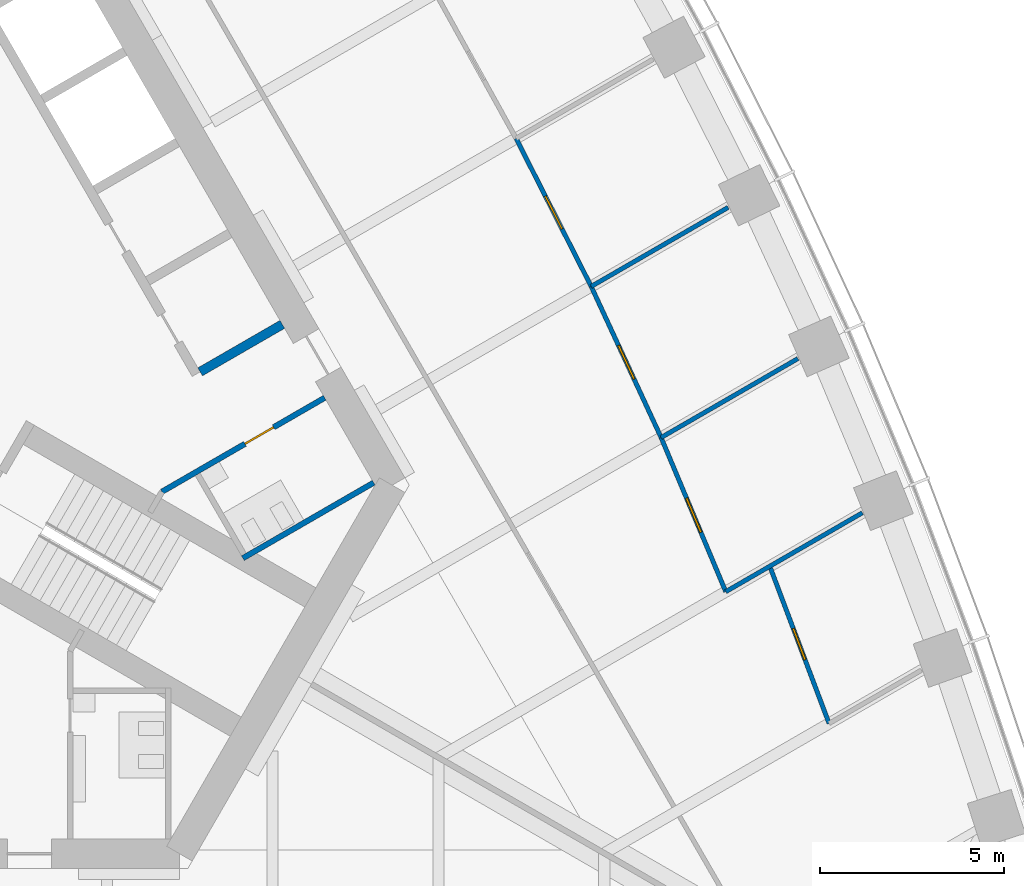
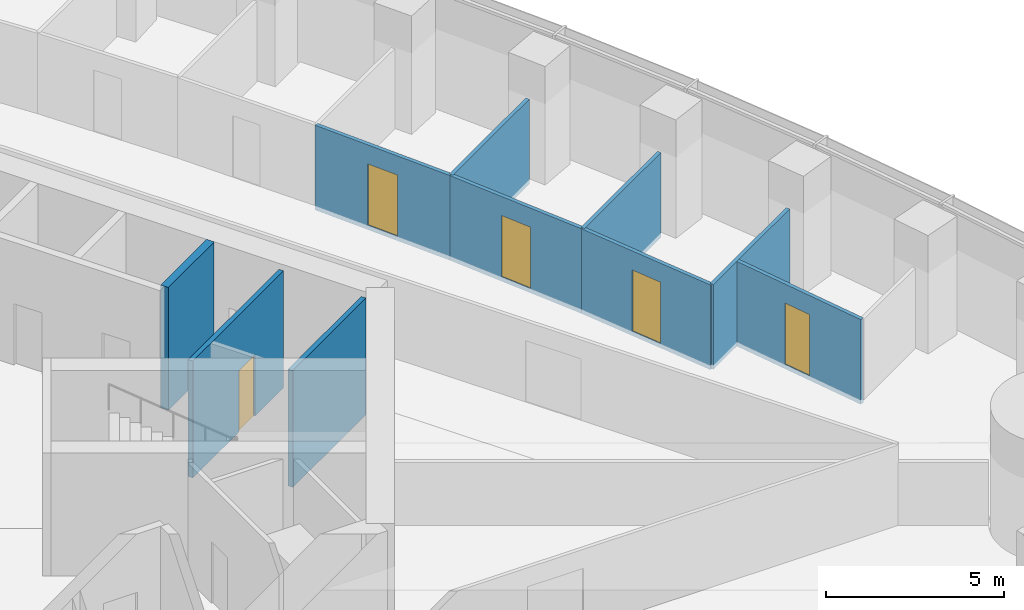
# One storey, part 13 of 21: 10 walls, 5 doors, 5 openings.
"""IFC4 building model written with IfcOpenShell, lengths in metres."""

from ifc_helpers import new_model, si_unit, direction, frame, frame_2d, origin, place, context, subcontext, project, spatial, rectangle, extrude, material, layer, layer_set, type_object, element, fill, save


model = new_model("IFC4")

# Units and contexts
model_context = context("Model", 3, precision=1e-05, world=origin(), true_north=direction((0.0, 1.0)))
body_context = subcontext(model_context, "Body", "Model", "MODEL_VIEW")
ifc_project = project(units=[si_unit("LENGTHUNIT", "METRE"), si_unit("AREAUNIT", "SQUARE_METRE"), si_unit("VOLUMEUNIT", "CUBIC_METRE"), si_unit("PLANEANGLEUNIT", "RADIAN"), si_unit("MASSUNIT", "GRAM", prefix="KILO")], contexts=[model_context])

# Site, building, storey
site_placement = place(None, origin())
site = spatial("IfcSite", under=ifc_project, at=site_placement, CompositionType="ELEMENT")
building_placement = place(site_placement, origin())
building = spatial("IfcBuilding", under=site, at=building_placement, Name="Trefoil Bronze Tower", CompositionType="ELEMENT")
storey_placement = place(building_placement, frame((0.0, 0.0, 149.300048828125)))
storey = spatial("IfcBuildingStorey", under=building, at=storey_placement, Name="L34", CompositionType="ELEMENT", Elevation=149.300048828125)

# Wall, opening, door
ifc_material_1 = material(Name="Glazed partition", Category="glass")
ifc_layer_1 = layer(ifc_material_1, 0.1201171875)
ifc_layer_set_1 = layer_set([ifc_layer_1], Name="Glazed partition 120")
wall_type_1 = type_object("IfcWallType", Name="Glazed partition 120", PredefinedType="PARTITIONING", material=ifc_layer_set_1)
wall_1_placement = place(storey_placement, frame((24.042724609375, -1.70751953125, 0.0), z_axis=(0.0, 0.0, 1.0), x_axis=(-0.41992827805, 0.90755729367, 0.0)))
wall_1 = element("IfcWall", 1, at=wall_1_placement, inside=storey, type_object=wall_type_1, Name="Partition F2 L34", PredefinedType="PARTITIONING", context=body_context, shape_type="SweptSolid", body=[
    extrude(rectangle(XDim=4.5185546875, YDim=0.1201171875, at=frame_2d((2.25927734375, 0.0))), origin(), (0.0, 0.0, 1.0), 2.89990234375),
])
opening_1_placement = place(wall_1_placement, frame((1.75, 0.0, 0.14990234375)))
opening_1 = element("IfcOpeningElement", 2, at=opening_1_placement, cuts=wall_1, Name="Opening D9", PredefinedType="OPENING", context=body_context, shape_type="SweptSolid", body=[
    extrude(rectangle(XDim=1.0, YDim=2.10009765625, at=frame_2d((0.5, 1.050048828125))), frame((0.0, 0.070068359375, 0.0), z_axis=(0.0, -1.0, 0.0), x_axis=(1.0, 0.0, 0.0)), (0.0, 0.0, 1.0), 0.14013671875),
])
ifc_material_2 = material(Name="Glazed timber door", Category="wood")
door_type_1 = type_object("IfcDoorType", Name="Meeting room door 1000", OperationType="SINGLE_SWING_LEFT", PredefinedType="DOOR", material=ifc_material_2)
door_1_placement = place(opening_1_placement, frame((1.0, 0.0, 0.0), z_axis=(0.0, 0.0, 1.0), x_axis=(-1.0, 0.0, 0.0)))
door_1 = element("IfcDoor", 3, at=door_1_placement, inside=storey, type_object=door_type_1, Name="Meeting room door F2 L34", OperationType="SINGLE_SWING_RIGHT", OverallHeight=2.10009765625, OverallWidth=1.0, PredefinedType="DOOR", context=body_context, shape_type="SweptSolid", body=[
    extrude(rectangle(XDim=1.0, YDim=2.10009765625, at=frame_2d((0.5, 1.050048828125))), frame((0.0, 0.02490234375, 0.0), z_axis=(0.0, -1.0, 0.0), x_axis=(1.0, 0.0, 0.0)), (0.0, 0.0, 1.0), 0.050048828125),
])
fill(opening_1, door_1)

wall_2_placement = place(storey_placement, frame((25.797119140625, -5.890625, 0.0), z_axis=(0.0, 0.0, 1.0), x_axis=(-0.386762112496, 0.922179520667, 0.0)))
wall_2 = element("IfcWall", 4, at=wall_2_placement, inside=storey, type_object=wall_type_1, Name="Partition F2 L34", PredefinedType="PARTITIONING", context=body_context, shape_type="SweptSolid", body=[
    extrude(rectangle(XDim=4.5361328125, YDim=0.1201171875, at=frame_2d((2.26806640625, 0.0))), origin(), (0.0, 0.0, 1.0), 2.89990234375),
])
opening_2_placement = place(wall_2_placement, frame((1.75, 0.0, 0.14990234375)))
opening_2 = element("IfcOpeningElement", 5, at=opening_2_placement, cuts=wall_2, Name="Opening D9", PredefinedType="OPENING", context=body_context, shape_type="SweptSolid", body=[
    extrude(rectangle(XDim=1.0, YDim=2.10009765625, at=frame_2d((0.5, 1.050048828125))), frame((0.0, 0.070068359375, 0.0), z_axis=(0.0, -1.0, 0.0), x_axis=(1.0, 0.0, 0.0)), (0.0, 0.0, 1.0), 0.14013671875),
])
door_2_placement = place(opening_2_placement, frame((1.0, 0.0, 0.0), z_axis=(0.0, 0.0, 1.0), x_axis=(-1.0, 0.0, 0.0)))
door_2 = element("IfcDoor", 6, at=door_2_placement, inside=storey, type_object=door_type_1, Name="Meeting room door F2 L34", OperationType="SINGLE_SWING_RIGHT", OverallHeight=2.10009765625, OverallWidth=1.0, PredefinedType="DOOR", context=body_context, shape_type="SweptSolid", body=[
    extrude(rectangle(XDim=1.0, YDim=2.10009765625, at=frame_2d((0.5, 1.050048828125))), frame((0.0, 0.02490234375, 0.0), z_axis=(0.0, -1.0, 0.0), x_axis=(1.0, 0.0, 0.0)), (0.0, 0.0, 1.0), 0.050048828125),
])
fill(opening_2, door_2)

wall_3_placement = place(storey_placement, frame((28.6015625, -9.467529296875, 0.0), z_axis=(0.0, 0.0, 1.0), x_axis=(-0.35291223767, 0.935656428665, 0.0)))
wall_3 = element("IfcWall", 7, at=wall_3_placement, inside=storey, type_object=wall_type_1, Name="Partition F2 L34", PredefinedType="PARTITIONING", context=body_context, shape_type="SweptSolid", body=[
    extrude(rectangle(XDim=4.560302734375, YDim=0.1201171875, at=frame_2d((2.2802734375, 0.0))), origin(), (0.0, 0.0, 1.0), 2.89990234375),
])
opening_3_placement = place(wall_3_placement, frame((1.85009765625, 0.0, 0.14990234375)))
opening_3 = element("IfcOpeningElement", 8, at=opening_3_placement, cuts=wall_3, Name="Opening D8", PredefinedType="OPENING", context=body_context, shape_type="SweptSolid", body=[
    extrude(rectangle(XDim=0.89990234375, YDim=2.10009765625, at=frame_2d((0.449951171875, 1.050048828125))), frame((0.0, 0.070068359375, 0.0), z_axis=(0.0, -1.0, 0.0), x_axis=(1.0, 0.0, 0.0)), (0.0, 0.0, 1.0), 0.14013671875),
])
ifc_material_3 = material(Name="Timber door", Category="wood")
door_type_2 = type_object("IfcDoorType", Name="Office door 900", OperationType="SINGLE_SWING_LEFT", PredefinedType="DOOR", material=ifc_material_3)
door_3_placement = place(opening_3_placement, frame((0.89990234375, 0.0, 0.0), z_axis=(0.0, 0.0, 1.0), x_axis=(-1.0, 0.0, 0.0)))
door_3 = element("IfcDoor", 9, at=door_3_placement, inside=storey, type_object=door_type_2, Name="Pantry door F2 L34", OperationType="SINGLE_SWING_LEFT", OverallHeight=2.10009765625, OverallWidth=0.89990234375, PredefinedType="DOOR", context=body_context, shape_type="SweptSolid", body=[
    extrude(rectangle(XDim=0.89990234375, YDim=2.10009765625, at=frame_2d((0.449951171875, 1.050048828125))), frame((0.0, 0.02490234375, 0.0), z_axis=(0.0, -1.0, 0.0), x_axis=(1.0, 0.0, 0.0)), (0.0, 0.0, 1.0), 0.050048828125),
])
fill(opening_3, door_3)

wall_4_placement = place(storey_placement, frame((22.145263671875, 2.393310546875, 0.0), z_axis=(0.0, 0.0, 1.0), x_axis=(-0.452471679136, 0.891778772779, 0.0)))
wall_4 = element("IfcWall", 10, at=wall_4_placement, inside=storey, type_object=wall_type_1, Name="Partition F2 L34", PredefinedType="PARTITIONING", context=body_context, shape_type="SweptSolid", body=[
    extrude(rectangle(XDim=4.506591796875, YDim=0.1201171875, at=frame_2d((2.25341796875, 0.0))), origin(), (0.0, 0.0, 1.0), 2.89990234375),
])
opening_4_placement = place(wall_4_placement, frame((1.75, 0.0, 0.14990234375)))
opening_4 = element("IfcOpeningElement", 11, at=opening_4_placement, cuts=wall_4, Name="Opening D9", PredefinedType="OPENING", context=body_context, shape_type="SweptSolid", body=[
    extrude(rectangle(XDim=1.0, YDim=2.10009765625, at=frame_2d((0.5, 1.050048828125))), frame((0.0, 0.070068359375, 0.0), z_axis=(0.0, -1.0, 0.0), x_axis=(1.0, 0.0, 0.0)), (0.0, 0.0, 1.0), 0.14013671875),
])
door_4_placement = place(opening_4_placement, frame((1.0, 0.0, 0.0), z_axis=(0.0, 0.0, 1.0), x_axis=(-1.0, 0.0, 0.0)))
door_4 = element("IfcDoor", 12, at=door_4_placement, inside=storey, type_object=door_type_1, Name="Meeting room door F2 L34", OperationType="SINGLE_SWING_RIGHT", OverallHeight=2.10009765625, OverallWidth=1.0, PredefinedType="DOOR", context=body_context, shape_type="SweptSolid", body=[
    extrude(rectangle(XDim=1.0, YDim=2.10009765625, at=frame_2d((0.5, 1.050048828125))), frame((0.0, 0.02490234375, 0.0), z_axis=(0.0, -1.0, 0.0), x_axis=(1.0, 0.0, 0.0)), (0.0, 0.0, 1.0), 0.050048828125),
])
fill(opening_4, door_4)

# Walls
wall_5_placement = place(storey_placement, frame((24.042724609375, -1.70751953125, 0.0), z_axis=(0.0, 0.0, 1.0), x_axis=(0.866015805976, 0.500016623523, 0.0)))
element("IfcWall", 13, at=wall_5_placement, inside=storey, type_object=wall_type_1, Name="Partition F2 L34", PredefinedType="PARTITIONING", context=body_context, shape_type="SweptSolid", body=[
    extrude(rectangle(XDim=4.286376953125, YDim=0.1201171875, at=frame_2d((2.14306640625, 0.0))), origin(), (0.0, 0.0, 1.0), 2.89990234375),
])
wall_6_placement = place(storey_placement, frame((25.797119140625, -5.890625, 0.0), z_axis=(0.0, 0.0, 1.0), x_axis=(0.866019337872, 0.500010506321, 0.0)))
element("IfcWall", 14, at=wall_6_placement, inside=storey, type_object=wall_type_1, Name="Partition F2 L34", PredefinedType="PARTITIONING", context=body_context, shape_type="SweptSolid", body=[
    extrude(rectangle(XDim=4.27978515625, YDim=0.1201171875, at=frame_2d((2.139892578125, 0.0))), origin(), (0.0, 0.0, 1.0), 2.89990234375),
])
wall_7_placement = place(storey_placement, frame((22.145263671875, 2.393310546875, 0.0), z_axis=(0.0, 0.0, 1.0), x_axis=(0.866035893414, 0.499981830989, 0.0)))
element("IfcWall", 15, at=wall_7_placement, inside=storey, type_object=wall_type_1, Name="Partition F2 L34", PredefinedType="PARTITIONING", context=body_context, shape_type="SweptSolid", body=[
    extrude(rectangle(XDim=4.291259765625, YDim=0.1201171875, at=frame_2d((2.1455078125, 0.0))), origin(), (0.0, 0.0, 1.0), 2.89990234375),
])

# Wall, opening, door
ifc_material_4 = material(Name="Gypsum board on steel studs", Category="steel")
ifc_layer_2 = layer(ifc_material_4, 0.14990234375)
ifc_layer_set_2 = layer_set([ifc_layer_2], Name="Partition 150")
wall_type_2 = type_object("IfcWallType", Name="Partition 150", PredefinedType="PARTITIONING", material=ifc_layer_set_2)
wall_8_placement = place(storey_placement, frame((10.4951171875, -3.17822265625, 0.0), z_axis=(0.0, 0.0, 1.0), x_axis=(0.86602216432, 0.500005610874, 0.0)))
wall_8 = element("IfcWall", 16, at=wall_8_placement, inside=storey, type_object=wall_type_2, Name="Passage wall F2- L34", PredefinedType="PARTITIONING", context=body_context, shape_type="SweptSolid", body=[
    extrude(rectangle(XDim=5.10009765625, YDim=0.14990234375, at=frame_2d((2.550048828125, 0.0))), origin(), (0.0, 0.0, 1.0), 4.0),
])
opening_5_placement = place(wall_8_placement, frame((2.60009765625, 0.0, 0.0)))
opening_5 = element("IfcOpeningElement", 17, at=opening_5_placement, cuts=wall_8, Name="Opening D3", PredefinedType="OPENING", context=body_context, shape_type="SweptSolid", body=[
    extrude(rectangle(XDim=0.89990234375, YDim=2.10009765625, at=frame_2d((0.449951171875, 1.050048828125))), frame((0.0, 0.0849609375, 0.0), z_axis=(0.0, -1.0, 0.0), x_axis=(1.0, 0.0, 0.0)), (0.0, 0.0, 1.0), 0.169921875),
])
ifc_material_5 = material(Name="Timber door", Category="wood")
door_type_3 = type_object("IfcDoorType", Name="WC door 900", OperationType="SINGLE_SWING_LEFT", PredefinedType="DOOR", material=ifc_material_5)
door_5_placement = place(opening_5_placement, frame((0.89990234375, 0.0, 0.0), z_axis=(0.0, 0.0, 1.0), x_axis=(-1.0, 0.0, 0.0)))
door_5 = element("IfcDoor", 18, at=door_5_placement, inside=storey, type_object=door_type_3, Name="WC (women) door L34", OperationType="SINGLE_SWING_RIGHT", OverallHeight=2.10009765625, OverallWidth=0.89990234375, PredefinedType="DOOR", context=body_context, shape_type="SweptSolid", body=[
    extrude(rectangle(XDim=0.89990234375, YDim=2.10009765625, at=frame_2d((0.449951171875, 1.050048828125))), frame((0.0, 0.02490234375, 0.0), z_axis=(0.0, -1.0, 0.0), x_axis=(1.0, 0.0, 0.0)), (0.0, 0.0, 1.0), 0.050048828125),
])
fill(opening_5, door_5)

# Walls
wall_9_placement = place(storey_placement, frame((12.691162109375, -4.98193359375, 0.0), z_axis=(0.0, 0.0, 1.0), x_axis=(0.8660249478, 0.500000789788, 0.0)))
element("IfcWall", 19, at=wall_9_placement, inside=storey, type_object=wall_type_2, Name="WC partition WC (women) L34", PredefinedType="PARTITIONING", context=body_context, shape_type="SweptSolid", body=[
    extrude(rectangle(XDim=4.10009765625, YDim=0.14990234375, at=frame_2d((2.050048828125, 0.0))), origin(), (0.0, 0.0, 1.0), 4.0),
])
ifc_material_6 = material(Name="Concrete B80", Category="concrete")
ifc_layer_3 = layer(ifc_material_6, 0.25)
ifc_layer_set_3 = layer_set([ifc_layer_3], Name="Shaft wall 250")
wall_type_3 = type_object("IfcWallType", Name="Shaft wall 250", PredefinedType="SHEAR", material=ifc_layer_set_3)
wall_10_placement = place(storey_placement, frame((11.531982421875, 0.076171875, 0.0), z_axis=(0.0, 0.0, 1.0), x_axis=(0.866005588531, 0.500034319456, 0.0)))
element("IfcWall", 20, at=wall_10_placement, inside=storey, type_object=wall_type_3, Name="Lift shaft side wall B0 L34", PredefinedType="SHEAR", context=body_context, shape_type="SweptSolid", body=[
    extrude(rectangle(XDim=2.574951171875, YDim=0.25, at=frame_2d((1.28759765625, 0.0))), origin(), (0.0, 0.0, 1.0), 4.199951171875),
])

save(model, "model.ifc")
